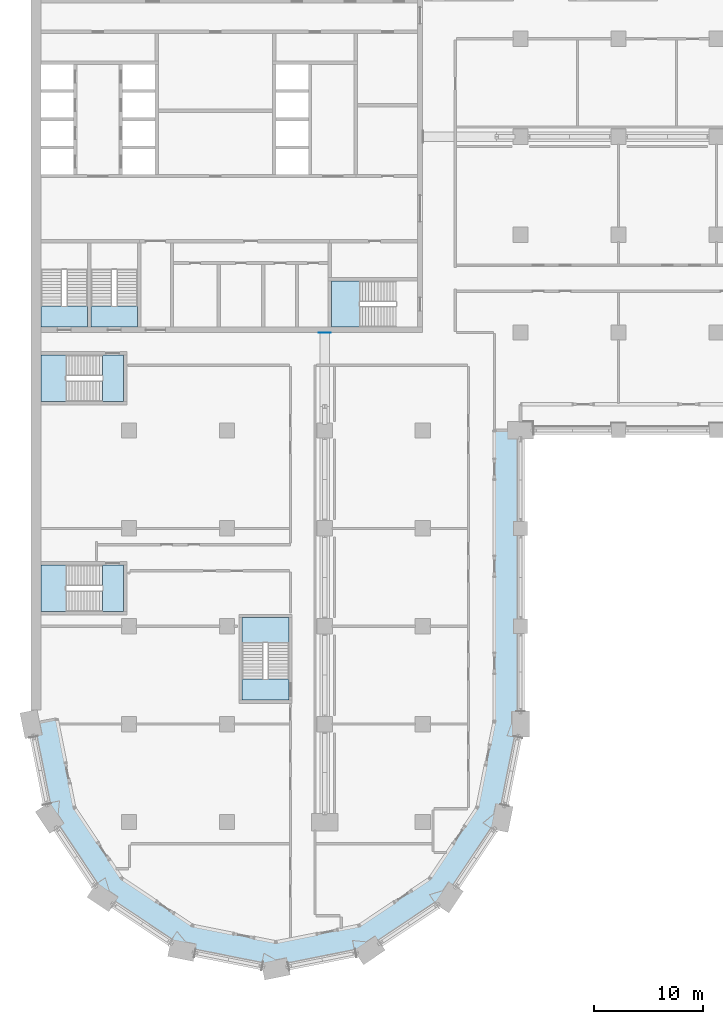
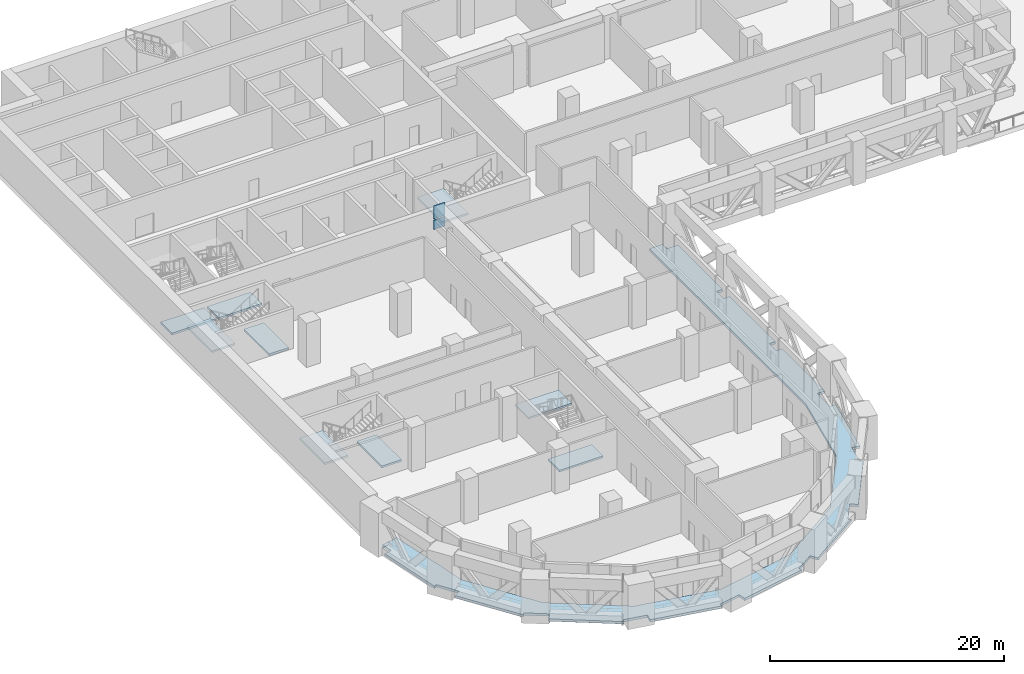
# One storey, part 5 of 24: 10 slabs, 2 plates, 4 elements without a shape of their own.
"""IFC4 building model written with IfcOpenShell, lengths in metres."""

from ifc_helpers import new_model, si_unit, direction, frame, origin, origin_2d, place, context, subcontext, project, spatial, polyline, rectangle, outline, extrude, material, layer, layer_set, type_object, element, aggregate, save


model = new_model("IFC4")

# Units and contexts
model_context = context("Model", 3, precision=1e-05, world=origin(), true_north=direction((0.0, 1.0)))
body_context = subcontext(model_context, "Body", "Model", "MODEL_VIEW")
ifc_project = project(units=[si_unit("LENGTHUNIT", "METRE"), si_unit("AREAUNIT", "SQUARE_METRE"), si_unit("VOLUMEUNIT", "CUBIC_METRE"), si_unit("PLANEANGLEUNIT", "RADIAN"), si_unit("MASSUNIT", "GRAM", prefix="KILO")], contexts=[model_context])

# Site, building, storey
site_placement = place(None, origin())
site = spatial("IfcSite", under=ifc_project, at=site_placement, CompositionType="ELEMENT")
building_placement = place(site_placement, origin())
building = spatial("IfcBuilding", under=site, at=building_placement, Name="Hunhe Ridgeline Campus", CompositionType="ELEMENT")
storey_placement = place(building_placement, frame((0.0, 0.0, 80.199951171875)))
storey = spatial("IfcBuildingStorey", under=building, at=storey_placement, Name="L19", CompositionType="ELEMENT", Elevation=80.199951171875)

# Plates
ifc_material_1 = material(Name="Steel Q420", Category="steel")
ifc_layer_1 = layer(ifc_material_1, 0.0400390625)
ifc_layer_set_1 = layer_set([ifc_layer_1], Name="Cast-in plate 1100x1000x40 Steel Q420")
plate_type_1 = type_object("IfcPlateType", Name="Cast-in plate 1100x1000x40 Steel Q420", PredefinedType="SHEET", material=ifc_layer_set_1)
plate_1_placement = place(storey_placement, frame((27.0, 62.97998046875, 2.199951171875), z_axis=(0.0, 0.0, 1.0), x_axis=(0.0, -1.0, 0.0)))
element("IfcPlate", 1, at=plate_1_placement, inside=storey, type_object=plate_type_1, Name="Cast-in plate OR2 bottom chord L19", PredefinedType="SHEET", context=body_context, shape_type="SweptSolid", body=[
    extrude(rectangle(XDim=0.0400390625, YDim=1.10009765625, at=origin_2d()), origin(), (0.0, 0.0, 1.0), 1.0),
])
ifc_layer_2 = layer(ifc_material_1, 0.0400390625)
ifc_layer_set_2 = layer_set([ifc_layer_2], Name="Cast-in plate 1100x1400x40 Steel Q420")
plate_type_2 = type_object("IfcPlateType", Name="Cast-in plate 1100x1400x40 Steel Q420", PredefinedType="SHEET", material=ifc_layer_set_2)
plate_2_placement = place(storey_placement, frame((27.0, 62.97998046875, 3.300048828125), z_axis=(0.0, 0.0, 1.0), x_axis=(0.0, -1.0, 0.0)))
element("IfcPlate", 2, at=plate_2_placement, inside=storey, type_object=plate_type_2, Name="Cast-in plate OR2 top chord L19", PredefinedType="SHEET", context=body_context, shape_type="SweptSolid", body=[
    extrude(rectangle(XDim=0.0400390625, YDim=1.10009765625, at=origin_2d()), origin(), (0.0, 0.0, 1.0), 1.39990234375),
])

# Slab
ifc_material_2 = material(Name="Concrete C40", Category="concrete")
ifc_layer_3 = layer(ifc_material_2, 0.25)
ifc_layer_set_3 = layer_set([ifc_layer_3], Name="Loggia slab 250 Concrete C40")
slab_type_1 = type_object("IfcSlabType", Name="Loggia slab 250 Concrete C40", PredefinedType="FLOOR", material=ifc_layer_set_3)
slab_1_placement = place(storey_placement, frame((0.0, 0.0, -0.25)))
element("IfcSlab", 3, at=slab_1_placement, inside=storey, type_object=slab_type_1, Name="Loggia slab 1", PredefinedType="FLOOR", context=body_context, shape_type="SweptSolid", body=[
    extrude(outline(polyline([(36.6796875, 12.8203125), (30.173828125, 8.473388671875), (22.5, 6.947021484375), (14.826171875, 8.473388671875), (8.3203125, 12.8203125), (3.973388671875, 19.326171875), (2.35400390625, 27.46826171875), (0.735595703125, 27.146240234375), (0.9501953125, 26.0673828125), (0.214599609375, 25.921142578125), (1.48046875, 19.557373046875), (1.72509765625, 19.720947265625), (2.947509765625, 17.8916015625), (2.32373046875, 17.47509765625), (5.9287109375, 12.080078125), (6.092041015625, 12.32470703125), (7.92138671875, 11.1025390625), (7.504638671875, 10.47900390625), (12.899658203125, 6.874267578125), (12.95703125, 7.162841796875), (15.11474609375, 6.733642578125), (14.968505859375, 5.998046875), (21.332275390625, 4.732177734375), (21.27490234375, 5.02099609375), (23.4326171875, 5.4501953125), (23.578857421875, 4.714599609375), (29.942626953125, 5.98046875), (29.779052734375, 6.22509765625), (31.6083984375, 7.447509765625), (32.02490234375, 6.82373046875), (37.419921875, 10.4287109375), (37.17529296875, 10.592041015625), (38.3974609375, 12.42138671875), (39.02099609375, 12.004638671875), (42.625732421875, 17.399658203125), (42.337158203125, 17.45703125), (42.766357421875, 19.61474609375), (43.501953125, 19.468505859375), (44.78125, 25.89990234375), (44.25, 25.89990234375), (44.25, 28.10009765625), (45.0, 28.10009765625), (45.0, 35.39990234375), (44.39990234375, 35.39990234375), (44.39990234375, 36.60009765625), (45.0, 36.60009765625), (45.0, 44.39990234375), (44.39990234375, 44.39990234375), (44.39990234375, 45.60009765625), (45.0, 45.60009765625), (45.0, 53.25), (43.89990234375, 53.25), (43.89990234375, 54.0), (42.60009765625, 54.0), (42.60009765625, 27.236328125), (41.026611328125, 19.326171875), (36.6796875, 12.8203125)])), origin(), (0.0, 0.0, 1.0), 0.25),
])

# Stair, slab
stair_type = type_object("IfcStairType", Name="Reinforced concrete dog-leg stair 1950 Concrete C40", PredefinedType="HALF_TURN_STAIR", material=ifc_material_2)
stair_1_placement = place(storey_placement, origin())
stair_1 = element("IfcStair", 4, at=stair_1_placement, inside=storey, type_object=stair_type, Name="L19 S2", PredefinedType="HALF_TURN_STAIR")
ifc_layer_4 = layer(ifc_material_2, 0.199951171875)
ifc_layer_set_4 = layer_set([ifc_layer_4], Name="Reinforced concrete stair landing 200 Concrete C40")
slab_type_2 = type_object("IfcSlabType", Name="Reinforced concrete stair landing 200 Concrete C40", PredefinedType="LANDING", material=ifc_layer_set_4)
slab_2_placement = place(storey_placement, frame((0.0, 0.0, 2.10009765625)))
slab_2 = element("IfcSlab", 5, at=slab_2_placement, type_object=slab_type_2, Name="ST2 landing 1", PredefinedType="LANDING", context=body_context, shape_type="SweptSolid", body=[
    extrude(outline(polyline([(30.18994140625, 67.75), (27.60009765625, 67.75), (27.60009765625, 63.5), (30.18994140625, 63.5), (30.18994140625, 67.75)])), origin(), (0.0, 0.0, 1.0), 0.199951171875),
])
aggregate(stair_1, [slab_2])

# Slabs
slab_3_placement = place(storey_placement, frame((0.0, 0.0, -0.199951171875)))
element("IfcSlab", 6, at=slab_3_placement, inside=storey, type_object=slab_type_2, Name="L19 stair S3 floor landing", PredefinedType="LANDING", context=body_context, shape_type="SweptSolid", body=[
    extrude(outline(polyline([(5.199951171875, 63.5), (5.199951171875, 65.449951171875), (0.89990234375, 65.449951171875), (0.89990234375, 63.5), (5.199951171875, 63.5)])), origin(), (0.0, 0.0, 1.0), 0.199951171875),
])
slab_4_placement = place(storey_placement, frame((0.0, 0.0, -0.199951171875)))
element("IfcSlab", 7, at=slab_4_placement, inside=storey, type_object=slab_type_2, Name="L19 stair S4 floor landing", PredefinedType="LANDING", context=body_context, shape_type="SweptSolid", body=[
    extrude(outline(polyline([(9.800048828125, 63.5), (9.800048828125, 65.449951171875), (5.5, 65.449951171875), (5.5, 63.5), (9.800048828125, 63.5)])), origin(), (0.0, 0.0, 1.0), 0.199951171875),
])

# Stair, slab
stair_2_placement = place(storey_placement, origin())
stair_2 = element("IfcStair", 8, at=stair_2_placement, inside=storey, type_object=stair_type, Name="L19 W3", PredefinedType="HALF_TURN_STAIR")
slab_5_placement = place(storey_placement, frame((0.0, 0.0, 2.10009765625)))
slab_5 = element("IfcSlab", 9, at=slab_5_placement, type_object=slab_type_2, Name="ST9 landing 1", PredefinedType="LANDING", context=body_context, shape_type="SweptSolid", body=[
    extrude(outline(polyline([(23.699951171875, 34.510009765625), (23.699951171875, 36.800048828125), (19.39990234375, 36.800048828125), (19.39990234375, 34.510009765625), (23.699951171875, 34.510009765625)])), origin(), (0.0, 0.0, 1.0), 0.199951171875),
])
aggregate(stair_2, [slab_5])

# Slab
slab_6_placement = place(storey_placement, frame((0.0, 0.0, -0.199951171875)))
element("IfcSlab", 10, at=slab_6_placement, inside=storey, type_object=slab_type_2, Name="L19 stair W3 floor landing", PredefinedType="LANDING", context=body_context, shape_type="SweptSolid", body=[
    extrude(outline(polyline([(23.699951171875, 29.199951171875), (23.699951171875, 31.14990234375), (19.39990234375, 31.14990234375), (19.39990234375, 29.199951171875), (23.699951171875, 29.199951171875)])), origin(), (0.0, 0.0, 1.0), 0.199951171875),
])

# Stair, slab
stair_3_placement = place(storey_placement, origin())
stair_3 = element("IfcStair", 11, at=stair_3_placement, inside=storey, type_object=stair_type, Name="L19 W1", PredefinedType="HALF_TURN_STAIR")
slab_7_placement = place(storey_placement, frame((0.0, 0.0, 2.10009765625)))
slab_7 = element("IfcSlab", 12, at=slab_7_placement, type_object=slab_type_2, Name="ST11 landing 1", PredefinedType="LANDING", context=body_context, shape_type="SweptSolid", body=[
    extrude(outline(polyline([(3.18994140625, 41.64990234375), (0.89990234375, 41.64990234375), (0.89990234375, 37.35009765625), (3.18994140625, 37.35009765625), (3.18994140625, 41.64990234375)])), origin(), (0.0, 0.0, 1.0), 0.199951171875),
])
aggregate(stair_3, [slab_7])

# Slab
slab_8_placement = place(storey_placement, frame((0.0, 0.0, -0.199951171875)))
element("IfcSlab", 13, at=slab_8_placement, inside=storey, type_object=slab_type_2, Name="L19 stair W1 floor landing", PredefinedType="LANDING", context=body_context, shape_type="SweptSolid", body=[
    extrude(outline(polyline([(8.5, 41.64990234375), (6.550048828125, 41.64990234375), (6.550048828125, 37.35009765625), (8.5, 37.35009765625), (8.5, 41.64990234375)])), origin(), (0.0, 0.0, 1.0), 0.199951171875),
])

# Stair, slab
stair_4_placement = place(storey_placement, origin())
stair_4 = element("IfcStair", 14, at=stair_4_placement, inside=storey, type_object=stair_type, Name="L19 W2", PredefinedType="HALF_TURN_STAIR")
slab_9_placement = place(storey_placement, frame((0.0, 0.0, 2.10009765625)))
slab_9 = element("IfcSlab", 15, at=slab_9_placement, type_object=slab_type_2, Name="ST12 landing 1", PredefinedType="LANDING", context=body_context, shape_type="SweptSolid", body=[
    extrude(outline(polyline([(3.18994140625, 60.949951171875), (0.89990234375, 60.949951171875), (0.89990234375, 56.64990234375), (3.18994140625, 56.64990234375), (3.18994140625, 60.949951171875)])), origin(), (0.0, 0.0, 1.0), 0.199951171875),
])
aggregate(stair_4, [slab_9])

# Slab
slab_10_placement = place(storey_placement, frame((0.0, 0.0, -0.199951171875)))
element("IfcSlab", 16, at=slab_10_placement, inside=storey, type_object=slab_type_2, Name="L19 stair W2 floor landing", PredefinedType="LANDING", context=body_context, shape_type="SweptSolid", body=[
    extrude(outline(polyline([(8.5, 60.949951171875), (6.550048828125, 60.949951171875), (6.550048828125, 56.64990234375), (8.5, 56.64990234375), (8.5, 60.949951171875)])), origin(), (0.0, 0.0, 1.0), 0.199951171875),
])

save(model, "model.ifc")
